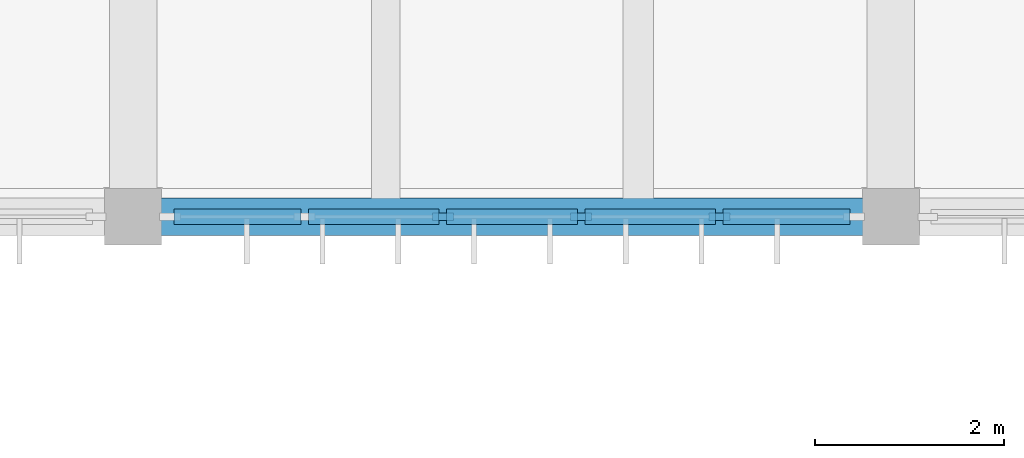
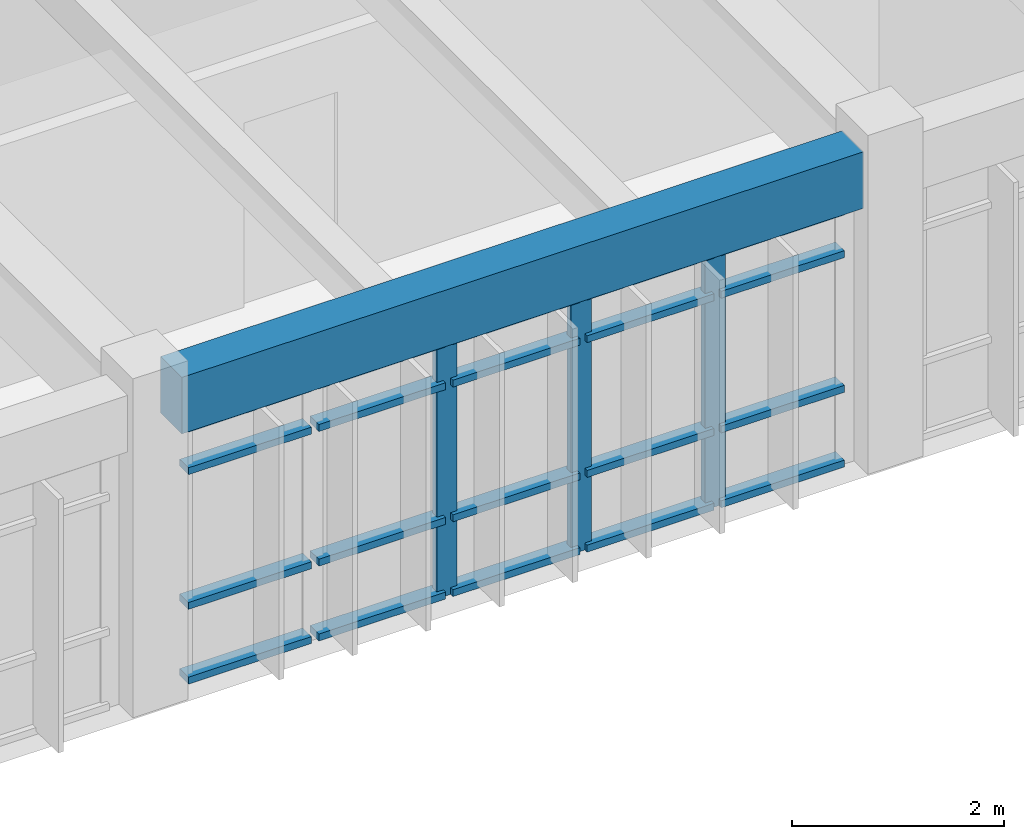
# One storey, part 6 of 22: 23 members, 1 beam, 1 element without a shape of its own.
"""IFC4 building model written with IfcOpenShell, lengths in metres."""

from ifc_helpers import new_model, si_unit, direction, frame, origin, origin_2d, place, context, subcontext, project, spatial, rectangle, extrude, material, material_profile, profile_set, type_object, element, aggregate, save


model = new_model("IFC4")

# Units and contexts
model_context = context("Model", 3, precision=1e-05, world=origin(), true_north=direction((0.0, 1.0)))
body_context = subcontext(model_context, "Body", "Model", "MODEL_VIEW")
ifc_project = project(units=[si_unit("LENGTHUNIT", "METRE"), si_unit("AREAUNIT", "SQUARE_METRE"), si_unit("VOLUMEUNIT", "CUBIC_METRE"), si_unit("PLANEANGLEUNIT", "RADIAN"), si_unit("MASSUNIT", "GRAM", prefix="KILO")], contexts=[model_context])

# Site, building, storey
site_placement = place(None, origin())
site = spatial("IfcSite", under=ifc_project, at=site_placement, CompositionType="ELEMENT")
building_placement = place(site_placement, origin())
building = spatial("IfcBuilding", under=site, at=building_placement, Name="Tlaxcora Railside Police Headquarters", CompositionType="ELEMENT")
storey_placement = place(building_placement, frame((0.0, 0.0, 21.89990234375)))
storey = spatial("IfcBuildingStorey", under=building, at=storey_placement, Name="L05", CompositionType="ELEMENT", Elevation=21.89990234375)

# Curtain wall, members
ifc_material_1 = material(Name="Thermally broken low-E insulated glazing", Category="glass")
curtain_wall_type = type_object("IfcCurtainWallType", Name="Unitised Curtain Wall Assembly CW-23", PredefinedType="NOTDEFINED", material=ifc_material_1)
curtain_wall_placement = place(storey_placement, origin())
curtain_wall = element("IfcCurtainWall", 1, at=curtain_wall_placement, inside=storey, type_object=curtain_wall_type, Name="V5 L05 curtain wall 112", PredefinedType="NOTDEFINED")
ifc_material_2 = material(Name="Anodised aluminium framing", Category="aluminium")
ifc_material_profile_1 = material_profile(ifc_material_2, rectangle(XDim=0.080078125, YDim=0.219970703125, at=origin_2d()), Name="AL80X220")
ifc_profile_set_1 = profile_set([ifc_material_profile_1], Name="Anodised aluminium framing")
member_type_1 = type_object("IfcMemberType", Name="Curtain Wall Mullion CW-31", PredefinedType="MULLION", material=ifc_profile_set_1)
member_1_placement = place(storey_placement, frame((65.27001953125, 76.800048828125, 0.0), z_axis=(0.0, 0.0, 1.0), x_axis=(0.0, 1.0, 0.0)))
member_1 = element("IfcMember", 2, at=member_1_placement, type_object=member_type_1, Name="CW mullion 3", PredefinedType="MULLION", context=body_context, shape_type="SweptSolid", body=[
    extrude(rectangle(XDim=0.080078125, YDim=0.219970703125, at=origin_2d()), origin(), (0.0, 0.0, 1.0), 2.97998046875),
])
member_2_placement = place(storey_placement, frame((66.72998046875, 76.800048828125, 0.0), z_axis=(0.0, 0.0, 1.0), x_axis=(0.0, 1.0, 0.0)))
member_2 = element("IfcMember", 3, at=member_2_placement, type_object=member_type_1, Name="CW mullion 4", PredefinedType="MULLION", context=body_context, shape_type="SweptSolid", body=[
    extrude(rectangle(XDim=0.080078125, YDim=0.219970703125, at=origin_2d()), origin(), (0.0, 0.0, 1.0), 2.97998046875),
])
member_3_placement = place(storey_placement, frame((68.18994140625, 76.800048828125, 0.0), z_axis=(0.0, 0.0, 1.0), x_axis=(0.0, 1.0, 0.0)))
member_3 = element("IfcMember", 4, at=member_3_placement, type_object=member_type_1, Name="CW mullion 5", PredefinedType="MULLION", context=body_context, shape_type="SweptSolid", body=[
    extrude(rectangle(XDim=0.080078125, YDim=0.219970703125, at=origin_2d()), origin(), (0.0, 0.0, 1.0), 2.97998046875),
])
ifc_material_profile_2 = material_profile(ifc_material_2, rectangle(XDim=0.1650390625, YDim=0.080078125, at=origin_2d()), Name="AL80X165")
ifc_profile_set_2 = profile_set([ifc_material_profile_2], Name="Anodised aluminium framing")
member_type_2 = type_object("IfcMemberType", Name="Curtain Wall Transom CW-62", PredefinedType="USERDEFINED", material=ifc_profile_set_2)
member_4_placement = place(storey_placement, frame((62.429931640625, 76.800048828125, 0.0400390625), z_axis=(1.0, 0.0, 0.0), x_axis=(0.0, 1.0, 0.0)))
member_4 = element("IfcMember", 5, at=member_4_placement, type_object=member_type_2, Name="CW transom 1.1", ObjectType="TRANSOM", PredefinedType="USERDEFINED", context=body_context, shape_type="SweptSolid", body=[
    extrude(rectangle(XDim=0.1650390625, YDim=0.080078125, at=origin_2d()), origin(), (0.0, 0.0, 1.0), 1.340087890625),
])
member_5_placement = place(storey_placement, frame((62.429931640625, 76.800048828125, 0.900146484375), z_axis=(1.0, 0.0, 0.0), x_axis=(0.0, 1.0, 0.0)))
member_5 = element("IfcMember", 6, at=member_5_placement, type_object=member_type_2, Name="CW transom 1.2", ObjectType="TRANSOM", PredefinedType="USERDEFINED", context=body_context, shape_type="SweptSolid", body=[
    extrude(rectangle(XDim=0.1650390625, YDim=0.080078125, at=origin_2d()), origin(), (0.0, 0.0, 1.0), 1.340087890625),
])
member_6_placement = place(storey_placement, frame((62.429931640625, 76.800048828125, 2.4501953125), z_axis=(1.0, 0.0, 0.0), x_axis=(0.0, 1.0, 0.0)))
member_6 = element("IfcMember", 7, at=member_6_placement, type_object=member_type_2, Name="CW transom 1.3", ObjectType="TRANSOM", PredefinedType="USERDEFINED", context=body_context, shape_type="SweptSolid", body=[
    extrude(rectangle(XDim=0.1650390625, YDim=0.080078125, at=origin_2d()), origin(), (0.0, 0.0, 1.0), 1.340087890625),
])
member_7_placement = place(storey_placement, frame((62.429931640625, 76.800048828125, 2.940185546875), z_axis=(1.0, 0.0, 0.0), x_axis=(0.0, 1.0, 0.0)))
member_7 = element("IfcMember", 8, at=member_7_placement, type_object=member_type_2, Name="CW transom 1.4", ObjectType="TRANSOM", PredefinedType="USERDEFINED", context=body_context, shape_type="SweptSolid", body=[
    extrude(rectangle(XDim=0.1650390625, YDim=0.080078125, at=origin_2d()), origin(), (0.0, 0.0, 1.0), 1.340087890625),
])
member_8_placement = place(storey_placement, frame((63.85009765625, 76.800048828125, 0.0400390625), z_axis=(1.0, 0.0, 0.0), x_axis=(0.0, 1.0, 0.0)))
member_8 = element("IfcMember", 9, at=member_8_placement, type_object=member_type_2, Name="CW transom 2.1", ObjectType="TRANSOM", PredefinedType="USERDEFINED", context=body_context, shape_type="SweptSolid", body=[
    extrude(rectangle(XDim=0.1650390625, YDim=0.080078125, at=origin_2d()), origin(), (0.0, 0.0, 1.0), 1.3798828125),
])
member_9_placement = place(storey_placement, frame((63.85009765625, 76.800048828125, 0.900146484375), z_axis=(1.0, 0.0, 0.0), x_axis=(0.0, 1.0, 0.0)))
member_9 = element("IfcMember", 10, at=member_9_placement, type_object=member_type_2, Name="CW transom 2.2", ObjectType="TRANSOM", PredefinedType="USERDEFINED", context=body_context, shape_type="SweptSolid", body=[
    extrude(rectangle(XDim=0.1650390625, YDim=0.080078125, at=origin_2d()), origin(), (0.0, 0.0, 1.0), 1.3798828125),
])
member_10_placement = place(storey_placement, frame((63.85009765625, 76.800048828125, 2.4501953125), z_axis=(1.0, 0.0, 0.0), x_axis=(0.0, 1.0, 0.0)))
member_10 = element("IfcMember", 11, at=member_10_placement, type_object=member_type_2, Name="CW transom 2.3", ObjectType="TRANSOM", PredefinedType="USERDEFINED", context=body_context, shape_type="SweptSolid", body=[
    extrude(rectangle(XDim=0.1650390625, YDim=0.080078125, at=origin_2d()), origin(), (0.0, 0.0, 1.0), 1.3798828125),
])
member_11_placement = place(storey_placement, frame((63.85009765625, 76.800048828125, 2.940185546875), z_axis=(1.0, 0.0, 0.0), x_axis=(0.0, 1.0, 0.0)))
member_11 = element("IfcMember", 12, at=member_11_placement, type_object=member_type_2, Name="CW transom 2.4", ObjectType="TRANSOM", PredefinedType="USERDEFINED", context=body_context, shape_type="SweptSolid", body=[
    extrude(rectangle(XDim=0.1650390625, YDim=0.080078125, at=origin_2d()), origin(), (0.0, 0.0, 1.0), 1.3798828125),
])
member_12_placement = place(storey_placement, frame((65.31005859375, 76.800048828125, 0.0400390625), z_axis=(1.0, 0.0, 0.0), x_axis=(0.0, 1.0, 0.0)))
member_12 = element("IfcMember", 13, at=member_12_placement, type_object=member_type_2, Name="CW transom 3.1", ObjectType="TRANSOM", PredefinedType="USERDEFINED", context=body_context, shape_type="SweptSolid", body=[
    extrude(rectangle(XDim=0.1650390625, YDim=0.080078125, at=origin_2d()), origin(), (0.0, 0.0, 1.0), 1.3798828125),
])
member_13_placement = place(storey_placement, frame((65.31005859375, 76.800048828125, 0.900146484375), z_axis=(1.0, 0.0, 0.0), x_axis=(0.0, 1.0, 0.0)))
member_13 = element("IfcMember", 14, at=member_13_placement, type_object=member_type_2, Name="CW transom 3.2", ObjectType="TRANSOM", PredefinedType="USERDEFINED", context=body_context, shape_type="SweptSolid", body=[
    extrude(rectangle(XDim=0.1650390625, YDim=0.080078125, at=origin_2d()), origin(), (0.0, 0.0, 1.0), 1.3798828125),
])
member_14_placement = place(storey_placement, frame((65.31005859375, 76.800048828125, 2.4501953125), z_axis=(1.0, 0.0, 0.0), x_axis=(0.0, 1.0, 0.0)))
member_14 = element("IfcMember", 15, at=member_14_placement, type_object=member_type_2, Name="CW transom 3.3", ObjectType="TRANSOM", PredefinedType="USERDEFINED", context=body_context, shape_type="SweptSolid", body=[
    extrude(rectangle(XDim=0.1650390625, YDim=0.080078125, at=origin_2d()), origin(), (0.0, 0.0, 1.0), 1.3798828125),
])
member_15_placement = place(storey_placement, frame((65.31005859375, 76.800048828125, 2.940185546875), z_axis=(1.0, 0.0, 0.0), x_axis=(0.0, 1.0, 0.0)))
member_15 = element("IfcMember", 16, at=member_15_placement, type_object=member_type_2, Name="CW transom 3.4", ObjectType="TRANSOM", PredefinedType="USERDEFINED", context=body_context, shape_type="SweptSolid", body=[
    extrude(rectangle(XDim=0.1650390625, YDim=0.080078125, at=origin_2d()), origin(), (0.0, 0.0, 1.0), 1.3798828125),
])
member_16_placement = place(storey_placement, frame((66.77001953125, 76.800048828125, 0.0400390625), z_axis=(1.0, 0.0, 0.0), x_axis=(0.0, 1.0, 0.0)))
member_16 = element("IfcMember", 17, at=member_16_placement, type_object=member_type_2, Name="CW transom 4.1", ObjectType="TRANSOM", PredefinedType="USERDEFINED", context=body_context, shape_type="SweptSolid", body=[
    extrude(rectangle(XDim=0.1650390625, YDim=0.080078125, at=origin_2d()), origin(), (0.0, 0.0, 1.0), 1.3798828125),
])
member_17_placement = place(storey_placement, frame((66.77001953125, 76.800048828125, 0.900146484375), z_axis=(1.0, 0.0, 0.0), x_axis=(0.0, 1.0, 0.0)))
member_17 = element("IfcMember", 18, at=member_17_placement, type_object=member_type_2, Name="CW transom 4.2", ObjectType="TRANSOM", PredefinedType="USERDEFINED", context=body_context, shape_type="SweptSolid", body=[
    extrude(rectangle(XDim=0.1650390625, YDim=0.080078125, at=origin_2d()), origin(), (0.0, 0.0, 1.0), 1.3798828125),
])
member_18_placement = place(storey_placement, frame((66.77001953125, 76.800048828125, 2.4501953125), z_axis=(1.0, 0.0, 0.0), x_axis=(0.0, 1.0, 0.0)))
member_18 = element("IfcMember", 19, at=member_18_placement, type_object=member_type_2, Name="CW transom 4.3", ObjectType="TRANSOM", PredefinedType="USERDEFINED", context=body_context, shape_type="SweptSolid", body=[
    extrude(rectangle(XDim=0.1650390625, YDim=0.080078125, at=origin_2d()), origin(), (0.0, 0.0, 1.0), 1.3798828125),
])
member_19_placement = place(storey_placement, frame((66.77001953125, 76.800048828125, 2.940185546875), z_axis=(1.0, 0.0, 0.0), x_axis=(0.0, 1.0, 0.0)))
member_19 = element("IfcMember", 20, at=member_19_placement, type_object=member_type_2, Name="CW transom 4.4", ObjectType="TRANSOM", PredefinedType="USERDEFINED", context=body_context, shape_type="SweptSolid", body=[
    extrude(rectangle(XDim=0.1650390625, YDim=0.080078125, at=origin_2d()), origin(), (0.0, 0.0, 1.0), 1.3798828125),
])
member_20_placement = place(storey_placement, frame((68.22998046875, 76.800048828125, 0.0400390625), z_axis=(1.0, 0.0, 0.0), x_axis=(0.0, 1.0, 0.0)))
member_20 = element("IfcMember", 21, at=member_20_placement, type_object=member_type_2, Name="CW transom 5.1", ObjectType="TRANSOM", PredefinedType="USERDEFINED", context=body_context, shape_type="SweptSolid", body=[
    extrude(rectangle(XDim=0.1650390625, YDim=0.080078125, at=origin_2d()), origin(), (0.0, 0.0, 1.0), 1.340087890625),
])
member_21_placement = place(storey_placement, frame((68.22998046875, 76.800048828125, 0.900146484375), z_axis=(1.0, 0.0, 0.0), x_axis=(0.0, 1.0, 0.0)))
member_21 = element("IfcMember", 22, at=member_21_placement, type_object=member_type_2, Name="CW transom 5.2", ObjectType="TRANSOM", PredefinedType="USERDEFINED", context=body_context, shape_type="SweptSolid", body=[
    extrude(rectangle(XDim=0.1650390625, YDim=0.080078125, at=origin_2d()), origin(), (0.0, 0.0, 1.0), 1.340087890625),
])
member_22_placement = place(storey_placement, frame((68.22998046875, 76.800048828125, 2.4501953125), z_axis=(1.0, 0.0, 0.0), x_axis=(0.0, 1.0, 0.0)))
member_22 = element("IfcMember", 23, at=member_22_placement, type_object=member_type_2, Name="CW transom 5.3", ObjectType="TRANSOM", PredefinedType="USERDEFINED", context=body_context, shape_type="SweptSolid", body=[
    extrude(rectangle(XDim=0.1650390625, YDim=0.080078125, at=origin_2d()), origin(), (0.0, 0.0, 1.0), 1.340087890625),
])
member_23_placement = place(storey_placement, frame((68.22998046875, 76.800048828125, 2.940185546875), z_axis=(1.0, 0.0, 0.0), x_axis=(0.0, 1.0, 0.0)))
member_23 = element("IfcMember", 24, at=member_23_placement, type_object=member_type_2, Name="CW transom 5.4", ObjectType="TRANSOM", PredefinedType="USERDEFINED", context=body_context, shape_type="SweptSolid", body=[
    extrude(rectangle(XDim=0.1650390625, YDim=0.080078125, at=origin_2d()), origin(), (0.0, 0.0, 1.0), 1.340087890625),
])
aggregate(curtain_wall, [member_1, member_2, member_3, member_4, member_5, member_6, member_7, member_8, member_9, member_10, member_11, member_12, member_13, member_14, member_15, member_16, member_17, member_18, member_19, member_20, member_21, member_22, member_23])

# Beam
ifc_material_3 = material(Name="Concrete C40/50", Category="concrete")
ifc_material_profile_3 = material_profile(ifc_material_3, rectangle(XDim=0.39990234375, YDim=0.64990234375, at=origin_2d()), Name="RC400X650")
ifc_profile_set_3 = profile_set([ifc_material_profile_3], Name="Concrete C40/50")
beam_type = type_object("IfcBeamType", Name="Perimeter Spandrel Beam BM-46", PredefinedType="SPANDREL", material=ifc_profile_set_3)
beam_placement = place(storey_placement, frame((62.2900390625, 76.800048828125, 3.3251953125), z_axis=(1.0, 0.0, 0.0), x_axis=(0.0, 1.0, 0.0)))
element("IfcBeam", 25, at=beam_placement, inside=storey, type_object=beam_type, Name="V5 L05 X-girder Y=76.8", PredefinedType="SPANDREL", context=body_context, shape_type="SweptSolid", body=[
    extrude(rectangle(XDim=0.39990234375, YDim=0.64990234375, at=origin_2d()), origin(), (0.0, 0.0, 1.0), 7.419921875),
])

save(model, "model.ifc")
